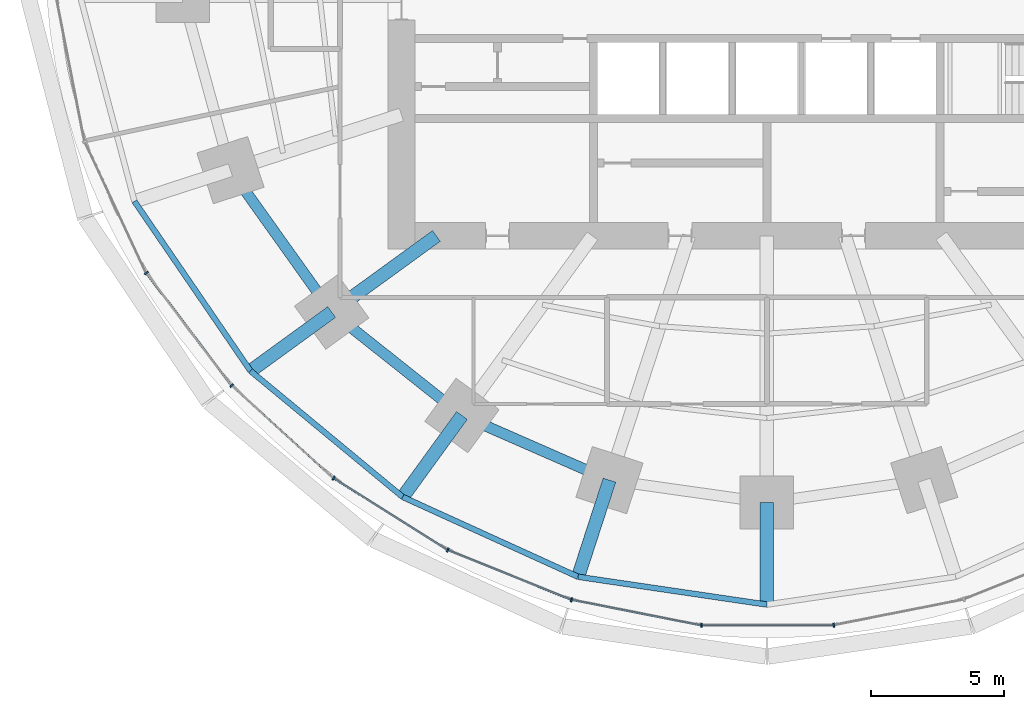
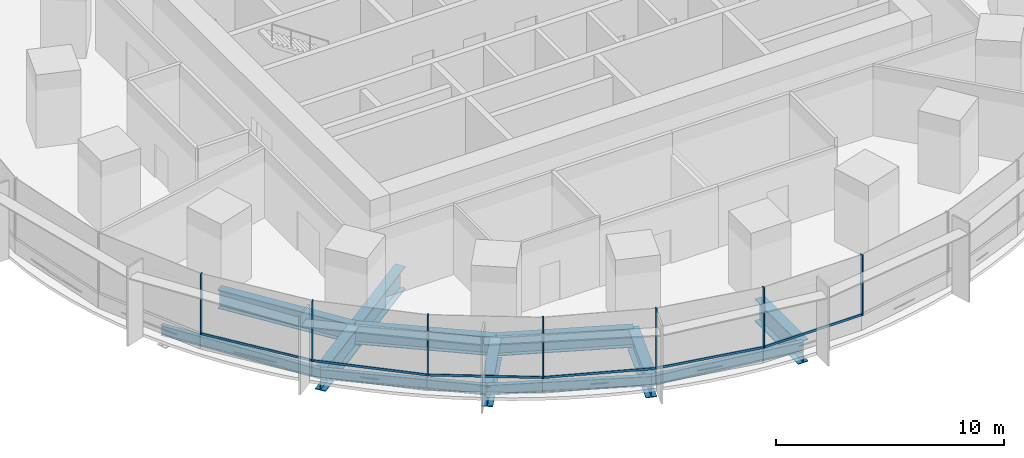
# One storey, part 2 of 15: 13 members, 12 beams, 2 elements without a shape of their own.
"""IFC4 building model written with IfcOpenShell, lengths in metres."""

from ifc_helpers import new_model, si_unit, direction, frame, origin, origin_2d, place, context, subcontext, project, spatial, rectangle, i_section, extrude, material, material_profile, profile_set, type_object, element, aggregate, save


model = new_model("IFC4")

# Units and contexts
model_context = context("Model", 3, precision=1e-05, world=origin(), true_north=direction((0.0, 1.0)))
body_context = subcontext(model_context, "Body", "Model", "MODEL_VIEW")
ifc_project = project(units=[si_unit("LENGTHUNIT", "METRE"), si_unit("AREAUNIT", "SQUARE_METRE"), si_unit("VOLUMEUNIT", "CUBIC_METRE"), si_unit("PLANEANGLEUNIT", "RADIAN"), si_unit("MASSUNIT", "GRAM", prefix="KILO")], contexts=[model_context])

# Site, building, storey
site_placement = place(None, origin())
site = spatial("IfcSite", under=ifc_project, at=site_placement, CompositionType="ELEMENT")
building_placement = place(site_placement, origin())
building = spatial("IfcBuilding", under=site, at=building_placement, Name="Marramba Exchange Tower", CompositionType="ELEMENT")
storey_placement = place(building_placement, frame((0.0, 0.0, 53.199951171875)))
storey = spatial("IfcBuildingStorey", under=building, at=storey_placement, Name="L12", CompositionType="ELEMENT", Elevation=53.199951171875)

# Beams
ifc_material_1 = material(Name="Steel AS/NZS 3679.2 grade 300", Category="steel")
ifc_material_profile_1 = material_profile(ifc_material_1, i_section(OverallWidth=0.5, OverallDepth=1.199951171875, WebThickness=0.01611328125, FlangeThickness=0.0400390625, at=origin_2d()), Name="1200WB455")
ifc_profile_set_1 = profile_set([ifc_material_profile_1], Name="Steel AS/NZS 3679.2 grade 300")
beam_type_1 = type_object("IfcBeamType", Name="Cantilever girder 1200WB455", PredefinedType="BEAM", material=ifc_profile_set_1)
beam_1_placement = place(storey_placement, frame((-16.3154296875, -11.853759765625, -0.760009765625), z_axis=(-0.809008346081, -0.587797155463, 0.0), x_axis=(0.587797155463, -0.809008346081, 0.0)))
element("IfcBeam", 1, at=beam_1_placement, inside=storey, type_object=beam_type_1, Name="Cantilever girder L12 TC13", PredefinedType="BEAM", context=body_context, shape_type="SweptSolid", body=[
    extrude(i_section(OverallWidth=0.5, OverallDepth=1.199951171875, WebThickness=0.01611328125, FlangeThickness=0.0400390625, at=origin_2d()), origin(), (0.0, 0.0, 1.0), 3.76025390625),
])
beam_2_placement = place(storey_placement, frame((-11.430419921875, -15.732666015625, -0.760009765625), z_axis=(-0.587787232741, -0.809015555491, 0.0), x_axis=(0.809015555491, -0.587787232741, 0.0)))
element("IfcBeam", 2, at=beam_2_placement, inside=storey, type_object=beam_type_1, Name="Cantilever girder L12 TC14", PredefinedType="BEAM", context=body_context, shape_type="SweptSolid", body=[
    extrude(i_section(OverallWidth=0.5, OverallDepth=1.199951171875, WebThickness=0.01611328125, FlangeThickness=0.0400390625, at=origin_2d()), origin(), (0.0, 0.0, 1.0), 3.7763671875),
])
beam_3_placement = place(storey_placement, frame((-5.899658203125, -18.156982421875, -0.760009765625), z_axis=(-0.309009272901, -0.951059025119, 0.0), x_axis=(0.951059025119, -0.309009272901, 0.0)))
element("IfcBeam", 3, at=beam_3_placement, inside=storey, type_object=beam_type_1, Name="Cantilever girder L12 TC15", PredefinedType="BEAM", context=body_context, shape_type="SweptSolid", body=[
    extrude(i_section(OverallWidth=0.5, OverallDepth=1.199951171875, WebThickness=0.01611328125, FlangeThickness=0.0400390625, at=origin_2d()), origin(), (0.0, 0.0, 1.0), 3.809814453125),
])
beam_4_placement = place(storey_placement, frame((0.0, -18.99609375, -0.760009765625), z_axis=(0.0, -1.0, 0.0), x_axis=(1.0, 0.0, 0.0)))
element("IfcBeam", 4, at=beam_4_placement, inside=storey, type_object=beam_type_1, Name="Cantilever girder L12 TC16", PredefinedType="BEAM", context=body_context, shape_type="SweptSolid", body=[
    extrude(i_section(OverallWidth=0.5, OverallDepth=1.199951171875, WebThickness=0.01611328125, FlangeThickness=0.0400390625, at=origin_2d()), origin(), (0.0, 0.0, 1.0), 3.825927734375),
])
ifc_material_profile_2 = material_profile(ifc_material_1, i_section(OverallWidth=0.5, OverallDepth=1.199951171875, WebThickness=0.01611328125, FlangeThickness=0.0400390625, at=origin_2d()), Name="1200WB455")
ifc_profile_set_2 = profile_set([ifc_material_profile_2], Name="Steel AS/NZS 3679.2 grade 300")
beam_type_2 = type_object("IfcBeamType", Name="Radial girder 1200WB455", PredefinedType="BEAM", material=ifc_profile_set_2)
beam_5_placement = place(storey_placement, frame((-12.387451171875, -9.0, -0.760009765625), z_axis=(-0.809025189606, -0.58777397236, 0.0), x_axis=(0.58777397236, -0.809025189606, 0.0)))
element("IfcBeam", 5, at=beam_5_placement, inside=storey, type_object=beam_type_2, Name="Radial girder L12 TC13", PredefinedType="BEAM", context=body_context, shape_type="SweptSolid", body=[
    extrude(i_section(OverallWidth=0.5, OverallDepth=1.199951171875, WebThickness=0.01611328125, FlangeThickness=0.0400390625, at=origin_2d()), origin(), (0.0, 0.0, 1.0), 4.855224609375),
])
ifc_material_profile_3 = material_profile(ifc_material_1, i_section(OverallWidth=0.39990234375, OverallDepth=1.0, WebThickness=0.01611328125, FlangeThickness=0.031982421875, at=origin_2d()), Name="1000WB322")
ifc_profile_set_3 = profile_set([ifc_material_profile_3], Name="Steel AS/NZS 3679.2 grade 300")
beam_type_3 = type_object("IfcBeamType", Name="Ring beam 1000WB322", PredefinedType="SPANDREL", material=ifc_profile_set_3)
beam_6_placement = place(storey_placement, frame((-20.109375, -6.533935546875, -0.659912109375), z_axis=(0.580637181111, -0.814162430914, 0.0), x_axis=(0.814162430914, 0.580637181111, 0.0)))
element("IfcBeam", 6, at=beam_6_placement, inside=storey, type_object=beam_type_3, Name="Ring beam L12 TC12-TC13", PredefinedType="SPANDREL", context=body_context, shape_type="SweptSolid", body=[
    extrude(i_section(OverallWidth=0.39990234375, OverallDepth=1.0, WebThickness=0.01611328125, FlangeThickness=0.031982421875, at=origin_2d()), origin(), (0.0, 0.0, 1.0), 6.5341796875),
])
beam_7_placement = place(storey_placement, frame((-16.3154296875, -11.853759765625, -0.659912109375), z_axis=(0.783139438128, -0.621846138887, 0.0), x_axis=(0.621846138887, 0.783139438128, 0.0)))
element("IfcBeam", 7, at=beam_7_placement, inside=storey, type_object=beam_type_3, Name="Ring beam L12 TC13-TC14", PredefinedType="SPANDREL", context=body_context, shape_type="SweptSolid", body=[
    extrude(i_section(OverallWidth=0.39990234375, OverallDepth=1.0, WebThickness=0.01611328125, FlangeThickness=0.031982421875, at=origin_2d()), origin(), (0.0, 0.0, 1.0), 6.23779296875),
])
beam_8_placement = place(storey_placement, frame((-11.430419921875, -15.732666015625, -0.659912109375), z_axis=(0.915876892158, -0.4014592363, 0.0), x_axis=(0.4014592363, 0.915876892158, 0.0)))
element("IfcBeam", 8, at=beam_8_placement, inside=storey, type_object=beam_type_3, Name="Ring beam L12 TC14-TC15", PredefinedType="SPANDREL", context=body_context, shape_type="SweptSolid", body=[
    extrude(i_section(OverallWidth=0.39990234375, OverallDepth=1.0, WebThickness=0.01611328125, FlangeThickness=0.031982421875, at=origin_2d()), origin(), (0.0, 0.0, 1.0), 6.038818359375),
])
ifc_material_2 = material(Name="Steel AS/NZS 3679.1 grade 300", Category="steel")
ifc_material_profile_4 = material_profile(ifc_material_2, i_section(OverallWidth=0.208984375, OverallDepth=0.528076171875, WebThickness=0.009521484375, FlangeThickness=0.01318359375, FilletRadius=0.013916015625, at=origin_2d()), Name="530UB82.0")
ifc_profile_set_4 = profile_set([ifc_material_profile_4], Name="Steel AS/NZS 3679.1 grade 300")
beam_type_4 = type_object("IfcBeamType", Name="Slab edge beam 530UB82.0", PredefinedType="SPANDREL", material=ifc_profile_set_4)
beam_9_placement = place(storey_placement, frame((-23.709716796875, -7.703857421875, -0.424072265625), z_axis=(0.564740697285, -0.82526840775, 0.0), x_axis=(0.82526840775, 0.564740697285, 0.0)))
element("IfcBeam", 9, at=beam_9_placement, inside=storey, type_object=beam_type_4, Name="Slab edge beam L12 TC12-TC13", PredefinedType="SPANDREL", context=body_context, shape_type="SweptSolid", body=[
    extrude(i_section(OverallWidth=0.208984375, OverallDepth=0.528076171875, WebThickness=0.009521484375, FlangeThickness=0.01318359375, FilletRadius=0.013916015625, at=origin_2d()), origin(), (0.0, 0.0, 1.0), 7.706787109375),
])
beam_10_placement = place(storey_placement, frame((-19.357421875, -14.06396484375, -0.424072265625), z_axis=(0.770353575372, -0.637616945283, 0.0), x_axis=(0.637616945283, 0.770353575372, 0.0)))
element("IfcBeam", 10, at=beam_10_placement, inside=storey, type_object=beam_type_4, Name="Slab edge beam L12 TC13-TC14", PredefinedType="SPANDREL", context=body_context, shape_type="SweptSolid", body=[
    extrude(i_section(OverallWidth=0.208984375, OverallDepth=0.528076171875, WebThickness=0.009521484375, FlangeThickness=0.01318359375, FilletRadius=0.013916015625, at=origin_2d()), origin(), (0.0, 0.0, 1.0), 7.40869140625),
])
beam_11_placement = place(storey_placement, frame((-13.650146484375, -18.787841796875, -0.424072265625), z_axis=(0.910126690081, -0.414330071324, 0.0), x_axis=(0.414330071324, 0.910126690081, 0.0)))
element("IfcBeam", 11, at=beam_11_placement, inside=storey, type_object=beam_type_4, Name="Slab edge beam L12 TC14-TC15", PredefinedType="SPANDREL", context=body_context, shape_type="SweptSolid", body=[
    extrude(i_section(OverallWidth=0.208984375, OverallDepth=0.528076171875, WebThickness=0.009521484375, FlangeThickness=0.01318359375, FilletRadius=0.013916015625, at=origin_2d()), origin(), (0.0, 0.0, 1.0), 7.222412109375),
])
beam_12_placement = place(storey_placement, frame((-7.076904296875, -21.7802734375, -0.424072265625), z_axis=(0.989338462178, -0.145634498848, 0.0), x_axis=(0.145634498848, 0.989338462178, 0.0)))
element("IfcBeam", 12, at=beam_12_placement, inside=storey, type_object=beam_type_4, Name="Slab edge beam L12 TC15-TC16", PredefinedType="SPANDREL", context=body_context, shape_type="SweptSolid", body=[
    extrude(i_section(OverallWidth=0.208984375, OverallDepth=0.528076171875, WebThickness=0.009521484375, FlangeThickness=0.01318359375, FilletRadius=0.013916015625, at=origin_2d()), origin(), (0.0, 0.0, 1.0), 7.153076171875),
])

# Curtain wall, members
ifc_material_3 = material(Name="Aluminium framing, bronze anodised", Category="aluminium")
curtain_wall_type = type_object("IfcCurtainWallType", Name="Trading floor ribbon curtain wall", PredefinedType="USERDEFINED", material=ifc_material_3)
curtain_wall_1_placement = place(storey_placement, origin())
curtain_wall_1 = element("IfcCurtainWall", 13, at=curtain_wall_1_placement, inside=storey, type_object=curtain_wall_type, Name="Curtain wall CW3 L12 F16-F20", ObjectType="RIBBON CURTAIN WALL", PredefinedType="USERDEFINED")
ifc_material_4 = material(Name="Aluminium mullion, bronze anodised", Category="aluminium")
ifc_material_profile_5 = material_profile(ifc_material_4, rectangle(XDim=0.159912109375, YDim=0.06005859375, at=origin_2d()), Name="CW3 mullion 60x160")
ifc_profile_set_5 = profile_set([ifc_material_profile_5], Name="Aluminium mullion, bronze anodised")
member_type_1 = type_object("IfcMemberType", Name="Trading floor ribbon curtain wall mullion", PredefinedType="MULLION", material=ifc_profile_set_5)
member_1_placement = place(storey_placement, frame((-23.26318359375, -10.389404296875, 0.800048828125), z_axis=(0.0, 0.0, 1.0), x_axis=(0.797710591138, 0.603040473588, 0.0)))
member_1 = element("IfcMember", 14, at=member_1_placement, type_object=member_type_1, Name="CW3 mullion 1", PredefinedType="MULLION", context=body_context, shape_type="SweptSolid", body=[
    extrude(rectangle(XDim=0.159912109375, YDim=0.06005859375, at=origin_2d()), origin(), (0.0, 0.0, 1.0), 3.239990234375),
])
member_2_placement = place(storey_placement, frame((-20.063232421875, -14.61328125, 0.800048828125), z_axis=(0.0, 0.0, 1.0), x_axis=(0.673058133441, 0.739589581463, 0.0)))
member_2 = element("IfcMember", 15, at=member_2_placement, type_object=member_type_1, Name="CW3 mullion 1", PredefinedType="MULLION", context=body_context, shape_type="SweptSolid", body=[
    extrude(rectangle(XDim=0.159912109375, YDim=0.06005859375, at=origin_2d()), origin(), (0.0, 0.0, 1.0), 3.239990234375),
])
member_3_placement = place(storey_placement, frame((-16.242431640625, -18.083251953125, 0.800048828125), z_axis=(0.0, 0.0, 1.0), x_axis=(0.533514646612, 0.845790826298, 0.0)))
member_3 = element("IfcMember", 16, at=member_3_placement, type_object=member_type_1, Name="CW3 mullion 1", PredefinedType="MULLION", context=body_context, shape_type="SweptSolid", body=[
    extrude(rectangle(XDim=0.159912109375, YDim=0.06005859375, at=origin_2d()), origin(), (0.0, 0.0, 1.0), 3.239990234375),
])

curtain_wall_2_placement = place(storey_placement, origin())
curtain_wall_2 = element("IfcCurtainWall", 17, at=curtain_wall_2_placement, inside=storey, type_object=curtain_wall_type, Name="Curtain wall CW3 L12 F21-F25", ObjectType="RIBBON CURTAIN WALL", PredefinedType="USERDEFINED")
member_4_placement = place(storey_placement, frame((-11.96142578125, -20.77734375, 0.800048828125), z_axis=(0.0, 0.0, 1.0), x_axis=(0.374218219325, 0.927340673283, 0.0)))
member_4 = element("IfcMember", 18, at=member_4_placement, type_object=member_type_1, Name="CW3 mullion 1", PredefinedType="MULLION", context=body_context, shape_type="SweptSolid", body=[
    extrude(rectangle(XDim=0.159912109375, YDim=0.06005859375, at=origin_2d()), origin(), (0.0, 0.0, 1.0), 3.239990234375),
])
member_5_placement = place(storey_placement, frame((-7.325439453125, -22.64208984375, 0.800048828125), z_axis=(0.0, 0.0, 1.0), x_axis=(0.193961202977, 0.98100920064, 0.0)))
member_5 = element("IfcMember", 19, at=member_5_placement, type_object=member_type_1, Name="CW3 mullion 1", PredefinedType="MULLION", context=body_context, shape_type="SweptSolid", body=[
    extrude(rectangle(XDim=0.159912109375, YDim=0.06005859375, at=origin_2d()), origin(), (0.0, 0.0, 1.0), 3.239990234375),
])
member_6_placement = place(storey_placement, frame((-2.450439453125, -23.599853515625, 0.800048828125), z_axis=(0.0, 0.0, 1.0), x_axis=(0.0, 1.0, 0.0)))
member_6 = element("IfcMember", 20, at=member_6_placement, type_object=member_type_1, Name="CW3 mullion 1", PredefinedType="MULLION", context=body_context, shape_type="SweptSolid", body=[
    extrude(rectangle(XDim=0.159912109375, YDim=0.06005859375, at=origin_2d()), origin(), (0.0, 0.0, 1.0), 3.239990234375),
])
member_7_placement = place(storey_placement, frame((2.509765625, -23.59423828125, 0.800048828125), z_axis=(0.0, 0.0, 1.0), x_axis=(-0.193961202977, 0.98100920064, 0.0)))
member_7 = element("IfcMember", 21, at=member_7_placement, type_object=member_type_1, Name="CW3 mullion 1", PredefinedType="MULLION", context=body_context, shape_type="SweptSolid", body=[
    extrude(rectangle(XDim=0.159912109375, YDim=0.06005859375, at=origin_2d()), origin(), (0.0, 0.0, 1.0), 3.239990234375),
])

# Member
ifc_material_5 = material(Name="Aluminium transom, bronze anodised", Category="aluminium")
ifc_material_profile_6 = material_profile(ifc_material_5, rectangle(XDim=0.06005859375, YDim=0.1201171875, at=origin_2d()), Name="CW3 transom 60x120")
ifc_profile_set_6 = profile_set([ifc_material_profile_6], Name="Aluminium transom, bronze anodised")
member_type_2 = type_object("IfcMemberType", Name="Trading floor ribbon curtain wall transom", PredefinedType="USERDEFINED", material=ifc_profile_set_6)
member_8_placement = place(storey_placement, frame((-23.2451171875, -10.413330078125, 0.830078125), z_axis=(0.603037409419, -0.797712907531, 0.0), x_axis=(0.797712907531, 0.603037409419, 0.0)))
member_8 = element("IfcMember", 22, at=member_8_placement, type_object=member_type_2, Name="CW3 sill transom", ObjectType="TRANSOM", PredefinedType="USERDEFINED", context=body_context, shape_type="SweptSolid", body=[
    extrude(rectangle(XDim=0.06005859375, YDim=0.1201171875, at=origin_2d()), origin(), (0.0, 0.0, 1.0), 5.239501953125),
])

member_9_placement = place(storey_placement, frame((-20.041015625, -14.63330078125, 0.830078125), z_axis=(0.739582688456, -0.673065707741, 0.0), x_axis=(0.673065707741, 0.739582688456, 0.0)))
member_9 = element("IfcMember", 23, at=member_9_placement, type_object=member_type_2, Name="CW3 sill transom", ObjectType="TRANSOM", PredefinedType="USERDEFINED", context=body_context, shape_type="SweptSolid", body=[
    extrude(rectangle(XDim=0.06005859375, YDim=0.1201171875, at=origin_2d()), origin(), (0.0, 0.0, 1.0), 5.101806640625),
])

member_10_placement = place(storey_placement, frame((-16.217041015625, -18.09912109375, 0.830078125), z_axis=(0.845776602594, -0.533537195053, 0.0), x_axis=(0.533537195053, 0.845776602594, 0.0)))
member_10 = element("IfcMember", 24, at=member_10_placement, type_object=member_type_2, Name="CW3 sill transom", ObjectType="TRANSOM", PredefinedType="USERDEFINED", context=body_context, shape_type="SweptSolid", body=[
    extrude(rectangle(XDim=0.06005859375, YDim=0.1201171875, at=origin_2d()), origin(), (0.0, 0.0, 1.0), 4.998779296875),
])

aggregate(curtain_wall_1, [member_1, member_8, member_2, member_9, member_3, member_10])

member_11_placement = place(storey_placement, frame((-11.93359375, -20.78857421875, 0.830078125), z_axis=(0.927340197166, -0.374219399176, 0.0), x_axis=(0.374219399176, 0.927340197166, 0.0)))
member_11 = element("IfcMember", 25, at=member_11_placement, type_object=member_type_2, Name="CW3 sill transom", ObjectType="TRANSOM", PredefinedType="USERDEFINED", context=body_context, shape_type="SweptSolid", body=[
    extrude(rectangle(XDim=0.06005859375, YDim=0.1201171875, at=origin_2d()), origin(), (0.0, 0.0, 1.0), 4.937255859375),
])

member_12_placement = place(storey_placement, frame((-7.296142578125, -22.64794921875, 0.830078125), z_axis=(0.981018169547, -0.193915834883, 0.0), x_axis=(0.193915834883, 0.981018169547, 0.0)))
member_12 = element("IfcMember", 26, at=member_12_placement, type_object=member_type_2, Name="CW3 sill transom", ObjectType="TRANSOM", PredefinedType="USERDEFINED", context=body_context, shape_type="SweptSolid", body=[
    extrude(rectangle(XDim=0.06005859375, YDim=0.1201171875, at=origin_2d()), origin(), (0.0, 0.0, 1.0), 4.908935546875),
])

member_13_placement = place(storey_placement, frame((-2.42041015625, -23.599853515625, 0.830078125), z_axis=(1.0, 0.0, 0.0), x_axis=(0.0, 1.0, 0.0)))
member_13 = element("IfcMember", 27, at=member_13_placement, type_object=member_type_2, Name="CW3 sill transom", ObjectType="TRANSOM", PredefinedType="USERDEFINED", context=body_context, shape_type="SweptSolid", body=[
    extrude(rectangle(XDim=0.06005859375, YDim=0.1201171875, at=origin_2d()), origin(), (0.0, 0.0, 1.0), 4.90087890625),
])

aggregate(curtain_wall_2, [member_4, member_11, member_5, member_12, member_6, member_13, member_7])

save(model, "model.ifc")
